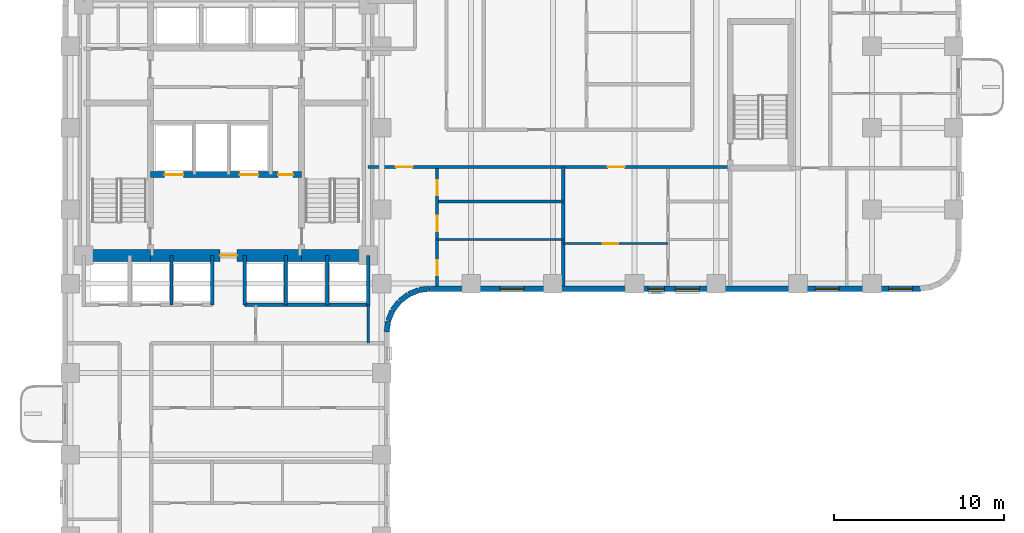
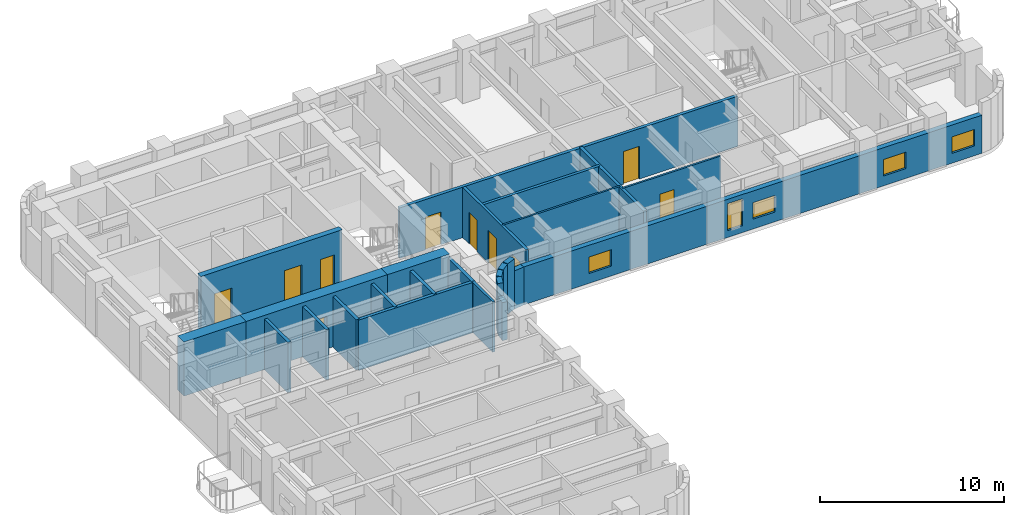
# One storey, part 4 of 10: 25 walls, 10 doors, 5 windows, 15 openings.
"""IFC4 building model written with IfcOpenShell, lengths in metres."""

from ifc_helpers import new_model, si_unit, direction, frame, frame_2d, origin, place, context, subcontext, project, spatial, rectangle, extrude, material, layer, layer_set, type_object, element, fill, save


model = new_model("IFC4")

# Units and contexts
model_context = context("Model", 3, precision=1e-05, world=origin(), true_north=direction((0.0, 1.0)))
body_context = subcontext(model_context, "Body", "Model", "MODEL_VIEW")
ifc_project = project(units=[si_unit("LENGTHUNIT", "METRE"), si_unit("AREAUNIT", "SQUARE_METRE"), si_unit("VOLUMEUNIT", "CUBIC_METRE"), si_unit("PLANEANGLEUNIT", "RADIAN"), si_unit("MASSUNIT", "GRAM", prefix="KILO")], contexts=[model_context])

# Site, building, storey
site_placement = place(None, origin())
site = spatial("IfcSite", under=ifc_project, at=site_placement, CompositionType="ELEMENT")
building_placement = place(site_placement, origin())
building = spatial("IfcBuilding", under=site, at=building_placement, Name="Orvandelia Arch Residences", CompositionType="ELEMENT")
storey_placement = place(building_placement, frame((0.0, 0.0, 75.39990234375)))
storey = spatial("IfcBuildingStorey", under=building, at=storey_placement, Name="L19", CompositionType="ELEMENT", Elevation=75.39990234375)

# Wall, openings, doors
ifc_material_1 = material(Name="Concrete C50/60", Category="concrete")
ifc_layer_1 = layer(ifc_material_1, 0.35009765625, Name="Concrete C50/60", Category="concrete")
ifc_layer_set_1 = layer_set([ifc_layer_1], Name="Concrete C50/60")
wall_type_1 = type_object("IfcWallType", Name="WL-CORE-350", PredefinedType="SHEAR", material=ifc_layer_set_1)
wall_1_placement = place(storey_placement, frame((9.9599609375, 35.64990234375, 0.0), z_axis=(0.0, 0.0, 1.0), x_axis=(1.0, 0.0, 0.0)))
wall_1 = element("IfcWall", 1, at=wall_1_placement, inside=storey, type_object=wall_type_1, Name="Core Shear Wall L19-HZ3", PredefinedType="SHEAR", context=body_context, shape_type="SweptSolid", body=[
    extrude(rectangle(XDim=8.880126953125, YDim=0.35009765625, at=frame_2d((4.43994140625, 0.0))), origin(), (0.0, 0.0, 1.0), 3.60009765625),
])
opening_1_placement = place(wall_1_placement, frame((0.840087890625, 0.0, 0.0)))
opening_1 = element("IfcOpeningElement", 2, at=opening_1_placement, cuts=wall_1, Name="Opening FLD", PredefinedType="OPENING", context=body_context, shape_type="SweptSolid", body=[
    extrude(rectangle(XDim=1.10009765625, YDim=2.14990234375, at=frame_2d((0.550048828125, 1.074951171875))), frame((0.0, 0.18505859375, 0.0), z_axis=(0.0, -1.0, 0.0), x_axis=(1.0, 0.0, 0.0)), (0.0, 0.0, 1.0), 0.3701171875),
])
opening_2_placement = place(wall_1_placement, frame((5.239990234375, 0.0, 0.0)))
opening_2 = element("IfcOpeningElement", 3, at=opening_2_placement, cuts=wall_1, Name="Opening FLD", PredefinedType="OPENING", context=body_context, shape_type="SweptSolid", body=[
    extrude(rectangle(XDim=1.10009765625, YDim=2.14990234375, at=frame_2d((0.550048828125, 1.074951171875))), frame((0.0, 0.18505859375, 0.0), z_axis=(0.0, -1.0, 0.0), x_axis=(1.0, 0.0, 0.0)), (0.0, 0.0, 1.0), 0.3701171875),
])
opening_3_placement = place(wall_1_placement, frame((7.5, 0.0, 0.0)))
opening_3 = element("IfcOpeningElement", 4, at=opening_3_placement, cuts=wall_1, Name="Opening D5", PredefinedType="OPENING", context=body_context, shape_type="SweptSolid", body=[
    extrude(rectangle(XDim=0.8798828125, YDim=2.10009765625, at=frame_2d((0.43994140625, 1.050048828125))), frame((0.0, 0.18505859375, 0.0), z_axis=(0.0, -1.0, 0.0), x_axis=(1.0, 0.0, 0.0)), (0.0, 0.0, 1.0), 0.3701171875),
])
ifc_material_2 = material(Name="Firefighting Lift Stainless Sliding Door")
door_type_1 = type_object("IfcDoorType", Name="DR-FLFT-1100", OperationType="NOTDEFINED", PredefinedType="DOOR", material=ifc_material_2)
door_1_placement = place(opening_1_placement, origin())
door_1 = element("IfcDoor", 5, at=door_1_placement, inside=storey, type_object=door_type_1, Name="Firefighting Lift Landing Door FLD-FL1-L19", OperationType="SLIDING_TO_LEFT", OverallHeight=2.14990234375, OverallWidth=1.10009765625, PredefinedType="DOOR", context=body_context, shape_type="SweptSolid", body=[
    extrude(rectangle(XDim=1.10009765625, YDim=2.14990234375, at=frame_2d((0.550048828125, 1.074951171875))), frame((0.0, 0.02490234375, 0.0), z_axis=(0.0, -1.0, 0.0), x_axis=(1.0, 0.0, 0.0)), (0.0, 0.0, 1.0), 0.050048828125),
])
fill(opening_1, door_1)
door_2_placement = place(opening_2_placement, origin())
door_2 = element("IfcDoor", 6, at=door_2_placement, inside=storey, type_object=door_type_1, Name="Firefighting Lift Landing Door FLD-FL2-L19", OperationType="SLIDING_TO_RIGHT", OverallHeight=2.14990234375, OverallWidth=1.10009765625, PredefinedType="DOOR", context=body_context, shape_type="SweptSolid", body=[
    extrude(rectangle(XDim=1.10009765625, YDim=2.14990234375, at=frame_2d((0.550048828125, 1.074951171875))), frame((0.0, 0.02490234375, 0.0), z_axis=(0.0, -1.0, 0.0), x_axis=(1.0, 0.0, 0.0)), (0.0, 0.0, 1.0), 0.050048828125),
])
fill(opening_2, door_2)
ifc_material_3 = material(Name="Painted Galvanised Steel Service Door", Category="steel")
door_type_2 = type_object("IfcDoorType", Name="DR-SRV-880", OperationType="NOTDEFINED", PredefinedType="DOOR", material=ifc_material_3)
door_3_placement = place(opening_3_placement, origin())
door_3 = element("IfcDoor", 7, at=door_3_placement, inside=storey, type_object=door_type_2, Name="Core Stairway Passage South Fire Door L19", OperationType="SINGLE_SWING_LEFT", OverallHeight=2.10009765625, OverallWidth=0.8798828125, PredefinedType="DOOR", context=body_context, shape_type="SweptSolid", body=[
    extrude(rectangle(XDim=0.8798828125, YDim=2.10009765625, at=frame_2d((0.43994140625, 1.050048828125))), frame((0.0, 0.02490234375, 0.0), z_axis=(0.0, -1.0, 0.0), x_axis=(1.0, 0.0, 0.0)), (0.0, 0.0, 1.0), 0.050048828125),
])
fill(opening_3, door_3)

# Wall
ifc_material_4 = material(Name="Concrete C80/95", Category="concrete")
ifc_layer_2 = layer(ifc_material_4, 0.699951171875, Name="Concrete C80/95", Category="concrete")
ifc_layer_set_2 = layer_set([ifc_layer_2], Name="Concrete C80/95")
wall_type_2 = type_object("IfcWallType", Name="WL-CORE-700", PredefinedType="SHEAR", material=ifc_layer_set_2)
wall_2_placement = place(storey_placement, frame((6.050048828125, 30.89990234375, 0.0), z_axis=(0.0, 0.0, 1.0), x_axis=(1.0, 0.0, 0.0)))
element("IfcWall", 8, at=wall_2_placement, inside=storey, type_object=wall_type_2, Name="Core Shear Wall L19-SW", PredefinedType="SHEAR", context=body_context, shape_type="SweptSolid", body=[
    extrude(rectangle(XDim=3.909912109375, YDim=0.699951171875, at=frame_2d((1.955078125, 0.0))), origin(), (0.0, 0.0, 1.0), 3.60009765625),
])

# Wall, opening, door
wall_3_placement = place(storey_placement, frame((9.9599609375, 30.89990234375, 0.0), z_axis=(0.0, 0.0, 1.0), x_axis=(1.0, 0.0, 0.0)))
wall_3 = element("IfcWall", 9, at=wall_3_placement, inside=storey, type_object=wall_type_2, Name="Core Shear Wall L19-SM", PredefinedType="SHEAR", context=body_context, shape_type="SweptSolid", body=[
    extrude(rectangle(XDim=8.880126953125, YDim=0.699951171875, at=frame_2d((4.43994140625, 0.0))), origin(), (0.0, 0.0, 1.0), 3.60009765625),
])
opening_4_placement = place(wall_3_placement, frame((4.090087890625, 0.0, 0.0)))
opening_4 = element("IfcOpeningElement", 10, at=opening_4_placement, cuts=wall_3, Name="Opening D6", PredefinedType="OPENING", context=body_context, shape_type="SweptSolid", body=[
    extrude(rectangle(XDim=1.0, YDim=2.14990234375, at=frame_2d((0.5, 1.074951171875))), frame((0.0, 0.35986328125, 0.0), z_axis=(0.0, -1.0, 0.0), x_axis=(1.0, 0.0, 0.0)), (0.0, 0.0, 1.0), 0.719970703125),
])
ifc_material_5 = material(Name="Smokeproof Painted Steel Fire Door", Category="steel")
door_type_3 = type_object("IfcDoorType", Name="DR-FD60-1000", OperationType="NOTDEFINED", PredefinedType="DOOR", material=ifc_material_5)
door_4_placement = place(opening_4_placement, origin())
door_4 = element("IfcDoor", 11, at=door_4_placement, inside=storey, type_object=door_type_3, Name="Firefighting Lobby Smokeproof Door L19", OperationType="SINGLE_SWING_LEFT", OverallHeight=2.14990234375, OverallWidth=1.0, PredefinedType="DOOR", context=body_context, shape_type="SweptSolid", body=[
    extrude(rectangle(XDim=1.0, YDim=2.14990234375, at=frame_2d((0.5, 1.074951171875))), frame((0.0, 0.02490234375, 0.0), z_axis=(0.0, -1.0, 0.0), x_axis=(1.0, 0.0, 0.0)), (0.0, 0.0, 1.0), 0.050048828125),
])
fill(opening_4, door_4)

# Wall
wall_4_placement = place(storey_placement, frame((18.840087890625, 30.89990234375, 0.0), z_axis=(0.0, 0.0, 1.0), x_axis=(1.0, 0.0, 0.0)))
element("IfcWall", 12, at=wall_4_placement, inside=storey, type_object=wall_type_2, Name="Core Shear Wall L19-SE", PredefinedType="SHEAR", context=body_context, shape_type="SweptSolid", body=[
    extrude(rectangle(XDim=3.909912109375, YDim=0.699951171875, at=frame_2d((1.955078125, 0.0))), origin(), (0.0, 0.0, 1.0), 3.60009765625),
])

# Wall, openings, doors
ifc_material_6 = material(Name="Fire-Rated Corridor Partition")
ifc_layer_3 = layer(ifc_material_6, 0.199951171875, Name="Fire-Rated Corridor Partition")
ifc_layer_set_3 = layer_set([ifc_layer_3], Name="Fire-Rated Corridor Partition")
wall_type_3 = type_object("IfcWallType", Name="WL-CORR-200", PredefinedType="PARTITIONING", material=ifc_layer_set_3)
wall_5_placement = place(storey_placement, frame((22.75, 36.10009765625, 0.0), z_axis=(0.0, 0.0, 1.0), x_axis=(1.0, 0.0, 0.0)))
wall_5 = element("IfcWall", 13, at=wall_5_placement, inside=storey, type_object=wall_type_3, Name="Interior Partition Wall WL-L19-EM-S1", PredefinedType="PARTITIONING", context=body_context, shape_type="SweptSolid", body=[
    extrude(rectangle(XDim=21.27001953125, YDim=0.199951171875, at=frame_2d((10.635009765625, 0.0))), origin(), (0.0, 0.0, 1.0), 3.35009765625),
])
opening_5_placement = place(wall_5_placement, frame((1.62548828125, 0.0, 0.0)))
opening_5 = element("IfcOpeningElement", 14, at=opening_5_placement, cuts=wall_5, Name="Opening D1", PredefinedType="OPENING", context=body_context, shape_type="SweptSolid", body=[
    extrude(rectangle(XDim=0.97998046875, YDim=2.179931640625, at=frame_2d((0.489990234375, 1.08984375))), frame((0.0, 0.10986328125, 0.0), z_axis=(0.0, -1.0, 0.0), x_axis=(1.0, 0.0, 0.0)), (0.0, 0.0, 1.0), 0.219970703125),
])
opening_6_placement = place(wall_5_placement, frame((14.08447265625, 0.0, 0.0)))
opening_6 = element("IfcOpeningElement", 15, at=opening_6_placement, cuts=wall_5, Name="Opening D1", PredefinedType="OPENING", context=body_context, shape_type="SweptSolid", body=[
    extrude(rectangle(XDim=0.97998046875, YDim=2.179931640625, at=frame_2d((0.489990234375, 1.08984375))), frame((0.0, 0.10986328125, 0.0), z_axis=(0.0, -1.0, 0.0), x_axis=(1.0, 0.0, 0.0)), (0.0, 0.0, 1.0), 0.219970703125),
])
ifc_material_7 = material(Name="Solid-Core Timber Acoustic Fire Door", Category="wood")
door_type_4 = type_object("IfcDoorType", Name="DR-ENT-980", OperationType="NOTDEFINED", PredefinedType="DOOR", material=ifc_material_7)
door_5_placement = place(opening_5_placement, origin())
door_5 = element("IfcDoor", 16, at=door_5_placement, inside=storey, type_object=door_type_4, Name="Unit L19-04 Entrance Door", OperationType="SINGLE_SWING_RIGHT", OverallHeight=2.179931640625, OverallWidth=0.97998046875, PredefinedType="DOOR", context=body_context, shape_type="SweptSolid", body=[
    extrude(rectangle(XDim=0.97998046875, YDim=2.179931640625, at=frame_2d((0.489990234375, 1.08984375))), frame((0.0, 0.02490234375, 0.0), z_axis=(0.0, -1.0, 0.0), x_axis=(1.0, 0.0, 0.0)), (0.0, 0.0, 1.0), 0.050048828125),
])
fill(opening_5, door_5)
door_6_placement = place(opening_6_placement, origin())
door_6 = element("IfcDoor", 17, at=door_6_placement, inside=storey, type_object=door_type_4, Name="Unit L19-05 Entrance Door", OperationType="SINGLE_SWING_LEFT", OverallHeight=2.179931640625, OverallWidth=0.97998046875, PredefinedType="DOOR", context=body_context, shape_type="SweptSolid", body=[
    extrude(rectangle(XDim=0.97998046875, YDim=2.179931640625, at=frame_2d((0.489990234375, 1.08984375))), frame((0.0, 0.02490234375, 0.0), z_axis=(0.0, -1.0, 0.0), x_axis=(1.0, 0.0, 0.0)), (0.0, 0.0, 1.0), 0.050048828125),
])
fill(opening_6, door_6)

# Wall
ifc_material_8 = material(Name="Concrete C40/50", Category="concrete")
ifc_layer_4 = layer(ifc_material_8, 0.199951171875, Name="Concrete C40/50", Category="concrete")
ifc_layer_set_4 = layer_set([ifc_layer_4], Name="Concrete C40/50")
wall_type_4 = type_object("IfcWallType", Name="WL-DEM-200", PredefinedType="SOLIDWALL", material=ifc_layer_set_4)
wall_6_placement = place(storey_placement, frame((34.199951171875, 29.1201171875, 0.0), z_axis=(0.0, 0.0, 1.0), x_axis=(0.0, 1.0, 0.0)))
element("IfcWall", 18, at=wall_6_placement, inside=storey, type_object=wall_type_4, Name="Interior Partition Wall WL-L19-DEM-EMS-342", PredefinedType="SOLIDWALL", context=body_context, shape_type="SweptSolid", body=[
    extrude(rectangle(XDim=6.97998046875, YDim=0.199951171875, at=frame_2d((3.489990234375, 0.0))), origin(), (0.0, 0.0, 1.0), 3.35009765625),
])

# Wall, openings, windows
ifc_material_9 = material(Name="Precast concrete C40/50", Category="concrete")
ifc_layer_5 = layer(ifc_material_9, 0.320068359375, Name="Precast concrete C40/50", Category="concrete")
ifc_layer_set_5 = layer_set([ifc_layer_5], Name="Precast concrete C40/50")
wall_type_5 = type_object("IfcWallType", Name="WL-EXT-STONE-320", PredefinedType="STANDARD", material=ifc_layer_set_5)
wall_7_placement = place(storey_placement, frame((55.199951171875, 28.9599609375, 0.0), z_axis=(0.0, 0.0, 1.0), x_axis=(-1.0, 0.0, 0.0)))
wall_7 = element("IfcWall", 19, at=wall_7_placement, inside=storey, type_object=wall_type_5, Name="Coral-Limestone Precast Facade Wall L19-021", PredefinedType="STANDARD", context=body_context, shape_type="SweptSolid", body=[
    extrude(rectangle(XDim=28.800048828125, YDim=0.320068359375, at=frame_2d((14.39990234375, 0.0))), origin(), (0.0, 0.0, 1.0), 2.530029296875),
])
opening_7_placement = place(wall_7_placement, frame((23.300048828125, 0.0, 0.64990234375)))
opening_7 = element("IfcOpeningElement", 20, at=opening_7_placement, cuts=wall_7, Name="Opening W10", PredefinedType="OPENING", context=body_context, shape_type="SweptSolid", body=[
    extrude(rectangle(XDim=1.39990234375, YDim=1.10009765625, at=frame_2d((0.699951171875, 0.550048828125))), frame((0.0, 0.169921875, 0.0), z_axis=(0.0, -1.0, 0.0), x_axis=(1.0, 0.0, 0.0)), (0.0, 0.0, 1.0), 0.340087890625),
])
opening_8_placement = place(wall_7_placement, frame((13.00048828125, 0.0, 0.64990234375)))
opening_8 = element("IfcOpeningElement", 21, at=opening_8_placement, cuts=wall_7, Name="Opening W10", PredefinedType="OPENING", context=body_context, shape_type="SweptSolid", body=[
    extrude(rectangle(XDim=1.39990234375, YDim=1.10009765625, at=frame_2d((0.699951171875, 0.550048828125))), frame((0.0, 0.169921875, 0.0), z_axis=(0.0, -1.0, 0.0), x_axis=(1.0, 0.0, 0.0)), (0.0, 0.0, 1.0), 0.340087890625),
])
opening_9_placement = place(wall_7_placement, frame((4.7900390625, 0.0, 0.64990234375)))
opening_9 = element("IfcOpeningElement", 22, at=opening_9_placement, cuts=wall_7, Name="Opening W10", PredefinedType="OPENING", context=body_context, shape_type="SweptSolid", body=[
    extrude(rectangle(XDim=1.39990234375, YDim=1.10009765625, at=frame_2d((0.699951171875, 0.550048828125))), frame((0.0, 0.169921875, 0.0), z_axis=(0.0, -1.0, 0.0), x_axis=(1.0, 0.0, 0.0)), (0.0, 0.0, 1.0), 0.340087890625),
])
opening_10_placement = place(wall_7_placement, frame((0.469970703125, 0.0, 0.64990234375)))
opening_10 = element("IfcOpeningElement", 23, at=opening_10_placement, cuts=wall_7, Name="Opening W10", PredefinedType="OPENING", context=body_context, shape_type="SweptSolid", body=[
    extrude(rectangle(XDim=1.39990234375, YDim=1.10009765625, at=frame_2d((0.699951171875, 0.550048828125))), frame((0.0, 0.169921875, 0.0), z_axis=(0.0, -1.0, 0.0), x_axis=(1.0, 0.0, 0.0)), (0.0, 0.0, 1.0), 0.340087890625),
])
opening_11_placement = place(wall_7_placement, frame((15.055419921875, 0.0, 0.449951171875)))
opening_11 = element("IfcOpeningElement", 24, at=opening_11_placement, cuts=wall_7, Name="Opening W4", PredefinedType="OPENING", context=body_context, shape_type="SweptSolid", body=[
    extrude(rectangle(XDim=0.949951171875, YDim=1.800048828125, at=frame_2d((0.47509765625, 0.89990234375))), frame((0.0, 0.169921875, 0.0), z_axis=(0.0, -1.0, 0.0), x_axis=(1.0, 0.0, 0.0)), (0.0, 0.0, 1.0), 0.340087890625),
])
ifc_material_10 = material(Name="Tempered Low-E Insulated Glazing", Category="glass")
window_type_1 = type_object("IfcWindowType", Name="WIN-CLR-1400x1100", PartitioningType="SINGLE_PANEL", PredefinedType="WINDOW", material=ifc_material_10)
window_1_placement = place(opening_7_placement, origin())
window_1 = element("IfcWindow", 25, at=window_1_placement, inside=storey, type_object=window_type_1, Name="Recessed Punched Window L19-014", OverallHeight=1.10009765625, OverallWidth=1.39990234375, PartitioningType="SINGLE_PANEL", PredefinedType="WINDOW", context=body_context, shape_type="SweptSolid", body=[
    extrude(rectangle(XDim=1.39990234375, YDim=1.10009765625, at=frame_2d((0.699951171875, 0.550048828125))), frame((0.0, 0.030029296875, 0.0), z_axis=(0.0, -1.0, 0.0), x_axis=(1.0, 0.0, 0.0)), (0.0, 0.0, 1.0), 0.06005859375),
])
fill(opening_7, window_1)
window_2_placement = place(opening_8_placement, origin())
window_2 = element("IfcWindow", 26, at=window_2_placement, inside=storey, type_object=window_type_1, Name="Recessed Punched Window L19-015", OverallHeight=1.10009765625, OverallWidth=1.39990234375, PartitioningType="SINGLE_PANEL", PredefinedType="WINDOW", context=body_context, shape_type="SweptSolid", body=[
    extrude(rectangle(XDim=1.39990234375, YDim=1.10009765625, at=frame_2d((0.699951171875, 0.550048828125))), frame((0.0, 0.030029296875, 0.0), z_axis=(0.0, -1.0, 0.0), x_axis=(1.0, 0.0, 0.0)), (0.0, 0.0, 1.0), 0.06005859375),
])
fill(opening_8, window_2)
window_3_placement = place(opening_9_placement, origin())
window_3 = element("IfcWindow", 27, at=window_3_placement, inside=storey, type_object=window_type_1, Name="Recessed Punched Window L19-016", OverallHeight=1.10009765625, OverallWidth=1.39990234375, PartitioningType="SINGLE_PANEL", PredefinedType="WINDOW", context=body_context, shape_type="SweptSolid", body=[
    extrude(rectangle(XDim=1.39990234375, YDim=1.10009765625, at=frame_2d((0.699951171875, 0.550048828125))), frame((0.0, 0.030029296875, 0.0), z_axis=(0.0, -1.0, 0.0), x_axis=(1.0, 0.0, 0.0)), (0.0, 0.0, 1.0), 0.06005859375),
])
fill(opening_9, window_3)
window_4_placement = place(opening_10_placement, origin())
window_4 = element("IfcWindow", 28, at=window_4_placement, inside=storey, type_object=window_type_1, Name="Recessed Punched Window L19-017", OverallHeight=1.10009765625, OverallWidth=1.39990234375, PartitioningType="SINGLE_PANEL", PredefinedType="WINDOW", context=body_context, shape_type="SweptSolid", body=[
    extrude(rectangle(XDim=1.39990234375, YDim=1.10009765625, at=frame_2d((0.699951171875, 0.550048828125))), frame((0.0, 0.030029296875, 0.0), z_axis=(0.0, -1.0, 0.0), x_axis=(1.0, 0.0, 0.0)), (0.0, 0.0, 1.0), 0.06005859375),
])
fill(opening_10, window_4)
window_type_2 = type_object("IfcWindowType", Name="WIN-RES-0950x1800", PartitioningType="SINGLE_PANEL", PredefinedType="WINDOW", material=ifc_material_10)
window_5_placement = place(opening_11_placement, origin())
window_5 = element("IfcWindow", 29, at=window_5_placement, inside=storey, type_object=window_type_2, Name="Recessed Punched Window L19-018", OverallHeight=1.800048828125, OverallWidth=0.949951171875, PartitioningType="SINGLE_PANEL", PredefinedType="WINDOW", context=body_context, shape_type="SweptSolid", body=[
    extrude(rectangle(XDim=0.949951171875, YDim=1.800048828125, at=frame_2d((0.47509765625, 0.89990234375))), frame((0.0, 0.030029296875, 0.0), z_axis=(0.0, -1.0, 0.0), x_axis=(1.0, 0.0, 0.0)), (0.0, 0.0, 1.0), 0.06005859375),
])
fill(opening_11, window_5)

# Walls
wall_8_placement = place(storey_placement, frame((26.379150390625, 28.95849609375, 0.0), z_axis=(0.0, 0.0, 1.0), x_axis=(-0.991447664465, -0.130504898859, 0.0)))
element("IfcWall", 30, at=wall_8_placement, inside=storey, type_object=wall_type_5, Name="Coral-Limestone Precast Facade Wall L19-022", PredefinedType="STANDARD", context=body_context, shape_type="SweptSolid", body=[
    extrude(rectangle(XDim=0.626708984375, YDim=0.320068359375, at=frame_2d((0.3134765625, 0.0))), origin(), (0.0, 0.0, 1.0), 2.530029296875),
])
wall_9_placement = place(storey_placement, frame((25.717529296875, 28.865966796875, 0.0), z_axis=(0.0, 0.0, 1.0), x_axis=(-0.923836271867, -0.382787856107, 0.0)))
element("IfcWall", 31, at=wall_9_placement, inside=storey, type_object=wall_type_5, Name="Coral-Limestone Precast Facade Wall L19-023", PredefinedType="STANDARD", context=body_context, shape_type="SweptSolid", body=[
    extrude(rectangle(XDim=0.626220703125, YDim=0.320068359375, at=frame_2d((0.31298828125, 0.0))), origin(), (0.0, 0.0, 1.0), 3.35009765625),
])
for number, where, z_axis, x_axis, name in (
    (32, (25.1025390625, 28.60546875, 0.0), (0.0, 0.0, 1.0), (-0.793405610854, -0.608693302629, 0.0), "Coral-Limestone Precast Facade Wall L19-024"),
    (33, (24.575927734375, 28.194580078125, 0.0), (0.0, 0.0, 1.0), (-0.608693302629, -0.793405610854, 0.0), "Coral-Limestone Precast Facade Wall L19-025"),
):
    element("IfcWall", number, at=place(storey_placement, frame(where, z_axis=z_axis, x_axis=x_axis)), inside=storey, type_object=wall_type_5, Name=name, PredefinedType="STANDARD", context=body_context, shape_type="SweptSolid", body=[
        extrude(rectangle(XDim=0.62646484375, YDim=0.320068359375, at=frame_2d((0.313232421875, 0.0))), origin(), (0.0, 0.0, 1.0), 3.35009765625),
    ])
wall_10_placement = place(storey_placement, frame((24.173583984375, 27.6611328125, 0.0), z_axis=(0.0, 0.0, 1.0), x_axis=(-0.382455093999, -0.923974080304, 0.0)))
element("IfcWall", 34, at=wall_10_placement, inside=storey, type_object=wall_type_5, Name="Coral-Limestone Precast Facade Wall L19-026", PredefinedType="STANDARD", context=body_context, shape_type="SweptSolid", body=[
    extrude(rectangle(XDim=0.626220703125, YDim=0.320068359375, at=frame_2d((0.31298828125, 0.0))), origin(), (0.0, 0.0, 1.0), 3.35009765625),
])
wall_11_placement = place(storey_placement, frame((23.923095703125, 27.0419921875, 0.0), z_axis=(0.0, 0.0, 1.0), x_axis=(-0.130555323746, -0.9914410257, 0.0)))
element("IfcWall", 35, at=wall_11_placement, inside=storey, type_object=wall_type_5, Name="Coral-Limestone Precast Facade Wall L19-027", PredefinedType="STANDARD", context=body_context, shape_type="SweptSolid", body=[
    extrude(rectangle(XDim=0.62646484375, YDim=0.320068359375, at=frame_2d((0.313232421875, 0.0))), origin(), (0.0, 0.0, 1.0), 2.530029296875),
])
ifc_material_11 = material(Name="Lightweight Gypsum Stud Partition")
ifc_layer_6 = layer(ifc_material_11, 0.1201171875, Name="Lightweight Gypsum Stud Partition")
ifc_layer_set_6 = layer_set([ifc_layer_6], Name="Lightweight Gypsum Stud Partition")
wall_type_6 = type_object("IfcWallType", Name="WL-PART-120", PredefinedType="PARTITIONING", material=ifc_layer_set_6)
wall_12_placement = place(storey_placement, frame((26.801025390625, 31.8359375, 0.0), z_axis=(0.0, 0.0, 1.0), x_axis=(1.0, 0.0, 0.0)))
element("IfcWall", 36, at=wall_12_placement, inside=storey, type_object=wall_type_6, Name="Interior Partition Wall WL-L19-U04-H1", PredefinedType="PARTITIONING", context=body_context, shape_type="SweptSolid", body=[
    extrude(rectangle(XDim=7.39892578125, YDim=0.1201171875, at=frame_2d((3.699462890625, 0.0))), origin(), (0.0, 0.0, 1.0), 3.35009765625),
])

# Wall, opening, door
wall_13_placement = place(storey_placement, frame((34.199951171875, 31.595947265625, 0.0), z_axis=(0.0, 0.0, 1.0), x_axis=(1.0, 0.0, 0.0)))
wall_13 = element("IfcWall", 37, at=wall_13_placement, inside=storey, type_object=wall_type_6, Name="Interior Partition Wall WL-L19-U05-DIN", PredefinedType="PARTITIONING", context=body_context, shape_type="SweptSolid", body=[
    extrude(rectangle(XDim=6.1689453125, YDim=0.1201171875, at=frame_2d((3.08447265625, 0.0))), origin(), (0.0, 0.0, 1.0), 3.35009765625),
])
opening_12_placement = place(wall_13_placement, frame((2.3349609375, 0.0, 0.0)))
opening_12 = element("IfcOpeningElement", 38, at=opening_12_placement, cuts=wall_13, Name="Opening D3", PredefinedType="OPENING", context=body_context, shape_type="SweptSolid", body=[
    extrude(rectangle(XDim=0.89990234375, YDim=2.14990234375, at=frame_2d((0.449951171875, 1.074951171875))), frame((0.0, 0.070068359375, 0.0), z_axis=(0.0, -1.0, 0.0), x_axis=(1.0, 0.0, 0.0)), (0.0, 0.0, 1.0), 0.14013671875),
])
ifc_material_12 = material(Name="Engineered Timber Flush Door", Category="wood")
door_type_5 = type_object("IfcDoorType", Name="DR-INT-900", OperationType="NOTDEFINED", PredefinedType="DOOR", material=ifc_material_12)
door_7_placement = place(opening_12_placement, origin())
door_7 = element("IfcDoor", 39, at=door_7_placement, inside=storey, type_object=door_type_5, Name="DR-L19-U05-DIN", OperationType="SINGLE_SWING_RIGHT", OverallHeight=2.14990234375, OverallWidth=0.89990234375, PredefinedType="DOOR", context=body_context, shape_type="SweptSolid", body=[
    extrude(rectangle(XDim=0.89990234375, YDim=2.14990234375, at=frame_2d((0.449951171875, 1.074951171875))), frame((0.0, 0.02490234375, 0.0), z_axis=(0.0, -1.0, 0.0), x_axis=(1.0, 0.0, 0.0)), (0.0, 0.0, 1.0), 0.050048828125),
])
fill(opening_12, door_7)

# Walls
ifc_material_13 = material(Name="Acoustic Gypsum Stud Partition")
ifc_layer_7 = layer(ifc_material_13, 0.14990234375, Name="Acoustic Gypsum Stud Partition")
ifc_layer_set_7 = layer_set([ifc_layer_7], Name="Acoustic Gypsum Stud Partition")
wall_type_7 = type_object("IfcWallType", Name="WL-PART-150", PredefinedType="PARTITIONING", material=ifc_layer_set_7)
wall_14_placement = place(storey_placement, frame((22.75, 25.75, 0.0), z_axis=(0.0, 0.0, 1.0), x_axis=(0.0, 1.0, 0.0)))
element("IfcWall", 40, at=wall_14_placement, inside=storey, type_object=wall_type_7, Name="Interior Partition Wall WL-L19-HLS-EE", PredefinedType="PARTITIONING", context=body_context, shape_type="SweptSolid", body=[
    extrude(rectangle(XDim=2.25, YDim=0.14990234375, at=frame_2d((1.125, 0.0))), origin(), (0.0, 0.0, 1.0), 3.35009765625),
])
ifc_material_14 = material(Name="Fire-Rated Shaft Enclosure Wall")
ifc_layer_8 = layer(ifc_material_14, 0.199951171875, Name="Fire-Rated Shaft Enclosure Wall")
ifc_layer_set_8 = layer_set([ifc_layer_8], Name="Fire-Rated Shaft Enclosure Wall")
wall_type_8 = type_object("IfcWallType", Name="WL-SHAFT-200", PredefinedType="POLYGONAL", material=ifc_layer_set_8)
wall_15_placement = place(storey_placement, frame((15.5, 28.0, 0.0), z_axis=(0.0, 0.0, 1.0), x_axis=(1.0, 0.0, 0.0)))
element("IfcWall", 41, at=wall_15_placement, inside=storey, type_object=wall_type_8, Name="Interior Partition Wall WL-L19-BNKM-S", PredefinedType="POLYGONAL", context=body_context, shape_type="SweptSolid", body=[
    extrude(rectangle(XDim=7.25, YDim=0.199951171875, at=frame_2d((3.625, 0.0))), origin(), (0.0, 0.0, 1.0), 3.35009765625),
])
wall_16_placement = place(storey_placement, frame((22.75, 27.89990234375, 0.0), z_axis=(0.0, 0.0, 1.0), x_axis=(0.0, 1.0, 0.0)))
element("IfcWall", 42, at=wall_16_placement, inside=storey, type_object=wall_type_8, Name="Interior Partition Wall WL-L19-BNKM-E", PredefinedType="POLYGONAL", context=body_context, shape_type="SweptSolid", body=[
    extrude(rectangle(XDim=3.0, YDim=0.199951171875, at=frame_2d((1.5, 0.0))), origin(), (0.0, 0.0, 1.0), 3.35009765625),
])
for number, where, z_axis, x_axis, name in (
    (43, (13.60009765625, 28.0, 0.0), (0.0, 0.0, 1.0), (0.0, 1.0, 0.0), "Interior Partition Wall WL-L19-BNKL-E"),
    (44, (15.5, 28.0, 0.0), (0.0, 0.0, 1.0), (0.0, 1.0, 0.0), "Interior Partition Wall WL-L19-BNKM-W"),
    (45, (11.199951171875, 28.0, 0.0), (0.0, 0.0, 1.0), (0.0, 1.0, 0.0), "Interior Partition Wall WL-L19-BNKD-1120"),
    (46, (17.89990234375, 28.0, 0.0), (0.0, 0.0, 1.0), (0.0, 1.0, 0.0), "Interior Partition Wall WL-L19-BNKD-1789"),
    (47, (20.35009765625, 28.0, 0.0), (0.0, 0.0, 1.0), (0.0, 1.0, 0.0), "Interior Partition Wall WL-L19-BNKD-2035"),
):
    element("IfcWall", number, at=place(storey_placement, frame(where, z_axis=z_axis, x_axis=x_axis)), inside=storey, type_object=wall_type_8, Name=name, PredefinedType="POLYGONAL", context=body_context, shape_type="SweptSolid", body=[
        extrude(rectangle(XDim=2.89990234375, YDim=0.199951171875, at=frame_2d((1.449951171875, 0.0))), origin(), (0.0, 0.0, 1.0), 3.35009765625),
    ])

# Wall, openings, doors
ifc_material_15 = material(Name="Moisture-Resistant Plumbing Wall")
ifc_layer_9 = layer(ifc_material_15, 0.179931640625, Name="Moisture-Resistant Plumbing Wall")
ifc_layer_set_9 = layer_set([ifc_layer_9], Name="Moisture-Resistant Plumbing Wall")
wall_type_9 = type_object("IfcWallType", Name="WL-WET-180", PredefinedType="PLUMBINGWALL", material=ifc_layer_set_9)
wall_17_placement = place(storey_placement, frame((26.801025390625, 29.1201171875, 0.0), z_axis=(0.0, 0.0, 1.0), x_axis=(0.0, 1.0, 0.0)))
wall_17 = element("IfcWall", 48, at=wall_17_placement, inside=storey, type_object=wall_type_9, Name="Interior Partition Wall WL-L19-U04-VT", PredefinedType="PLUMBINGWALL", context=body_context, shape_type="SweptSolid", body=[
    extrude(rectangle(XDim=6.8798828125, YDim=0.179931640625, at=frame_2d((3.43994140625, 0.0))), origin(), (0.0, 0.0, 1.0), 3.35009765625),
])
opening_13_placement = place(wall_17_placement, frame((0.61669921875, 0.0, 0.0)))
opening_13 = element("IfcOpeningElement", 49, at=opening_13_placement, cuts=wall_17, Name="Opening D3", PredefinedType="OPENING", context=body_context, shape_type="SweptSolid", body=[
    extrude(rectangle(XDim=0.89990234375, YDim=2.14990234375, at=frame_2d((0.449951171875, 1.074951171875))), frame((0.0, 0.10009765625, 0.0), z_axis=(0.0, -1.0, 0.0), x_axis=(1.0, 0.0, 0.0)), (0.0, 0.0, 1.0), 0.199951171875),
])
opening_14_placement = place(wall_17_placement, frame((3.21044921875, 0.0, 0.0)))
opening_14 = element("IfcOpeningElement", 50, at=opening_14_placement, cuts=wall_17, Name="Opening D3", PredefinedType="OPENING", context=body_context, shape_type="SweptSolid", body=[
    extrude(rectangle(XDim=0.89990234375, YDim=2.14990234375, at=frame_2d((0.449951171875, 1.074951171875))), frame((0.0, 0.10009765625, 0.0), z_axis=(0.0, -1.0, 0.0), x_axis=(1.0, 0.0, 0.0)), (0.0, 0.0, 1.0), 0.199951171875),
])
opening_15_placement = place(wall_17_placement, frame((5.331787109375, 0.0, 0.0)))
opening_15 = element("IfcOpeningElement", 51, at=opening_15_placement, cuts=wall_17, Name="Opening D4", PredefinedType="OPENING", context=body_context, shape_type="SweptSolid", body=[
    extrude(rectangle(XDim=0.860107421875, YDim=2.10009765625, at=frame_2d((0.43017578125, 1.050048828125))), frame((0.0, 0.10009765625, 0.0), z_axis=(0.0, -1.0, 0.0), x_axis=(1.0, 0.0, 0.0)), (0.0, 0.0, 1.0), 0.199951171875),
])
door_8_placement = place(opening_13_placement, origin())
door_8 = element("IfcDoor", 52, at=door_8_placement, inside=storey, type_object=door_type_5, Name="DR-L19-U04-BD1", OperationType="SINGLE_SWING_RIGHT", OverallHeight=2.14990234375, OverallWidth=0.89990234375, PredefinedType="DOOR", context=body_context, shape_type="SweptSolid", body=[
    extrude(rectangle(XDim=0.89990234375, YDim=2.14990234375, at=frame_2d((0.449951171875, 1.074951171875))), frame((0.0, 0.02490234375, 0.0), z_axis=(0.0, -1.0, 0.0), x_axis=(1.0, 0.0, 0.0)), (0.0, 0.0, 1.0), 0.050048828125),
])
fill(opening_13, door_8)
door_9_placement = place(opening_14_placement, origin())
door_9 = element("IfcDoor", 53, at=door_9_placement, inside=storey, type_object=door_type_5, Name="DR-L19-U04-KIT", OperationType="SINGLE_SWING_LEFT", OverallHeight=2.14990234375, OverallWidth=0.89990234375, PredefinedType="DOOR", context=body_context, shape_type="SweptSolid", body=[
    extrude(rectangle(XDim=0.89990234375, YDim=2.14990234375, at=frame_2d((0.449951171875, 1.074951171875))), frame((0.0, 0.02490234375, 0.0), z_axis=(0.0, -1.0, 0.0), x_axis=(1.0, 0.0, 0.0)), (0.0, 0.0, 1.0), 0.050048828125),
])
fill(opening_14, door_9)
ifc_material_16 = material(Name="Moisture-Sealed Timber Bathroom Door", Category="wood")
door_type_6 = type_object("IfcDoorType", Name="DR-WET-900", OperationType="NOTDEFINED", PredefinedType="DOOR", material=ifc_material_16)
door_10_placement = place(opening_15_placement, origin())
door_10 = element("IfcDoor", 54, at=door_10_placement, inside=storey, type_object=door_type_6, Name="DR-L19-U04-BTH", OperationType="SINGLE_SWING_RIGHT", OverallHeight=2.10009765625, OverallWidth=0.860107421875, PredefinedType="DOOR", context=body_context, shape_type="SweptSolid", body=[
    extrude(rectangle(XDim=0.860107421875, YDim=2.10009765625, at=frame_2d((0.43017578125, 1.050048828125))), frame((0.0, 0.02490234375, 0.0), z_axis=(0.0, -1.0, 0.0), x_axis=(1.0, 0.0, 0.0)), (0.0, 0.0, 1.0), 0.050048828125),
])
fill(opening_15, door_10)

# Wall
wall_18_placement = place(storey_placement, frame((26.801025390625, 34.0849609375, 0.0), z_axis=(0.0, 0.0, 1.0), x_axis=(1.0, 0.0, 0.0)))
element("IfcWall", 55, at=wall_18_placement, inside=storey, type_object=wall_type_9, Name="Interior Partition Wall WL-L19-U04-H2", PredefinedType="PLUMBINGWALL", context=body_context, shape_type="SweptSolid", body=[
    extrude(rectangle(XDim=7.39892578125, YDim=0.179931640625, at=frame_2d((3.699462890625, 0.0))), origin(), (0.0, 0.0, 1.0), 3.35009765625),
])

save(model, "model.ifc")
